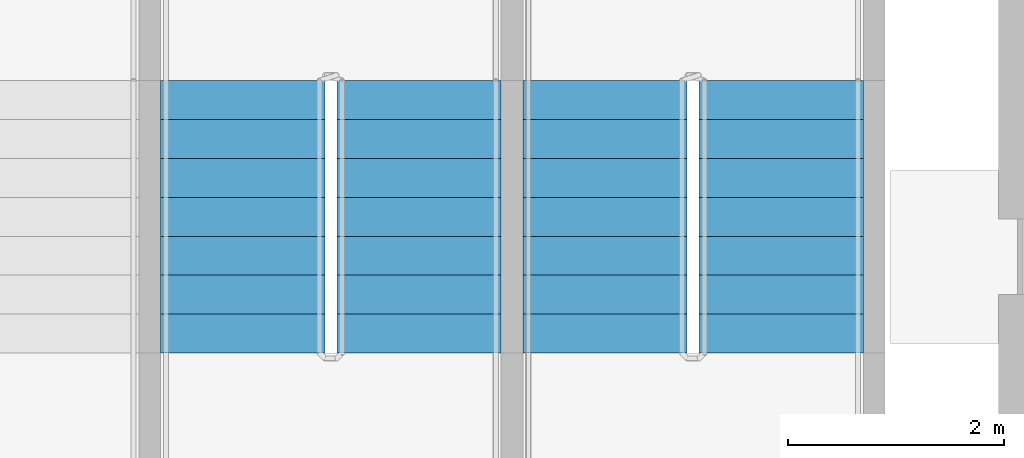
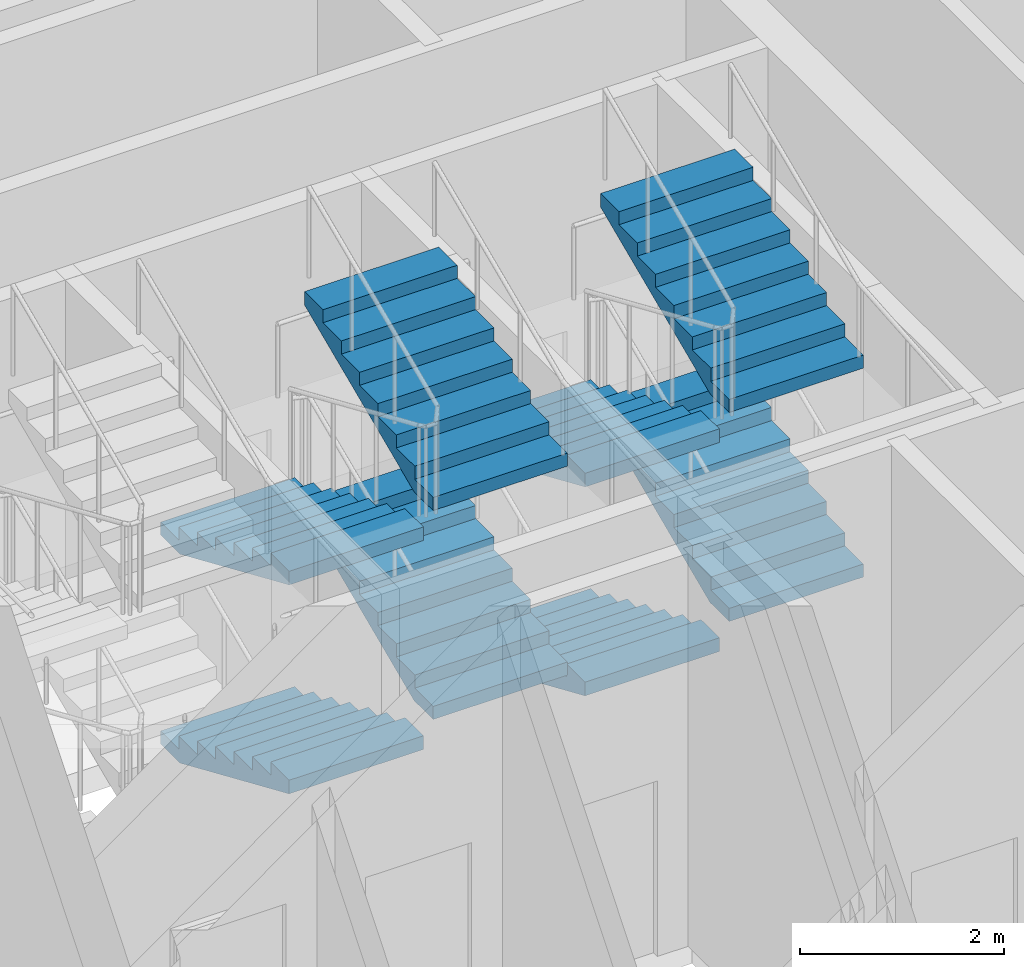
# One storey, part 10 of 15: 8 stair flights, 2 elements without a shape of their own.
"""IFC4 building model written with IfcOpenShell, lengths in metres."""

from ifc_helpers import new_model, si_unit, direction, frame, origin, place, context, subcontext, project, spatial, polyline, outline, extrude, material, type_object, element, aggregate, save


model = new_model("IFC4")

# Units and contexts
model_context = context("Model", 3, precision=1e-05, world=origin(), true_north=direction((0.0, 1.0)))
body_context = subcontext(model_context, "Body", "Model", "MODEL_VIEW")
ifc_project = project(units=[si_unit("LENGTHUNIT", "METRE"), si_unit("AREAUNIT", "SQUARE_METRE"), si_unit("VOLUMEUNIT", "CUBIC_METRE"), si_unit("PLANEANGLEUNIT", "RADIAN"), si_unit("MASSUNIT", "GRAM", prefix="KILO")], contexts=[model_context])

# Site, building, storey
site_placement = place(None, origin())
site = spatial("IfcSite", under=ifc_project, at=site_placement, CompositionType="ELEMENT")
building_placement = place(site_placement, origin())
building = spatial("IfcBuilding", under=site, at=building_placement, Name="Tessera Arch", CompositionType="ELEMENT")
storey_placement = place(building_placement, frame((0.0, 0.0, 285.199951171875)))
storey = spatial("IfcBuildingStorey", under=building, at=storey_placement, Name="L69", CompositionType="ELEMENT", Elevation=285.199951171875)

# Stair, stair flights
ifc_material_1 = material(Name="Concrete C40/50", Category="concrete")
stair_type = type_object("IfcStairType", Name="Dogleg stair 1520", PredefinedType="HALF_TURN_STAIR", material=ifc_material_1)
stair_1_placement = place(storey_placement, origin())
stair_1 = element("IfcStair", 1, at=stair_1_placement, inside=storey, type_object=stair_type, Name="L69 S1b", PredefinedType="HALF_TURN_STAIR")
ifc_material_2 = material(Name="Concrete C40/50", Category="concrete")
stair_flight_type = type_object("IfcStairFlightType", Name="Stair flight 1520", PredefinedType="STRAIGHT", material=ifc_material_2)
stair_flight_1_placement = place(storey_placement, frame((40.81005859375, 43.580078125, 0.0), z_axis=(0.0, 0.0, 1.0), x_axis=(0.0, -1.0, 0.0)))
stair_flight_1 = element("IfcStairFlight", 2, at=stair_flight_1_placement, type_object=stair_flight_type, Name="S1b flight 1", NumberOfRisers=8, NumberOfTreads=7, PredefinedType="STRAIGHT", RiserHeight=0.15625, TreadLength=0.36, context=body_context, shape_type="SweptSolid", body=[
    extrude(outline(polyline([(0.0, 0.0), (0.0, 0.15625), (0.360107421875, 0.15625), (0.360107421875, 0.3125), (0.719970703125, 0.3125), (0.719970703125, 0.46875), (1.080078125, 0.46875), (1.080078125, 0.625), (1.43994140625, 0.625), (1.43994140625, 0.78125), (1.800048828125, 0.78125), (1.800048828125, 0.9375), (2.159912109375, 0.9375), (2.159912109375, 1.09375), (2.52001953125, 1.09375), (2.52001953125, 1.25), (2.52001953125, 0.930419921875), (0.37646484375, 0.0), (0.0, 0.0)])), frame((0.0, 0.760009765625, 0.0), z_axis=(0.0, -1.0, 0.0), x_axis=(1.0, 0.0, 0.0)), (0.0, 0.0, 1.0), 1.52001953125),
])
stair_flight_2_placement = place(storey_placement, frame((42.43994140625, 41.06005859375, 1.25), z_axis=(0.0, 0.0, 1.0), x_axis=(0.0, 1.0, 0.0)))
stair_flight_2 = element("IfcStairFlight", 3, at=stair_flight_2_placement, type_object=stair_flight_type, Name="S1b flight 2", NumberOfRisers=8, NumberOfTreads=7, PredefinedType="STRAIGHT", RiserHeight=0.15625, TreadLength=0.36, context=body_context, shape_type="SweptSolid", body=[
    extrude(outline(polyline([(0.0, 0.0), (0.0, 0.15625), (0.360107421875, 0.15625), (0.360107421875, 0.3125), (0.719970703125, 0.3125), (0.719970703125, 0.46875), (1.080078125, 0.46875), (1.080078125, 0.625), (1.43994140625, 0.625), (1.43994140625, 0.78125), (1.800048828125, 0.78125), (1.800048828125, 0.9375), (2.159912109375, 0.9375), (2.159912109375, 1.09375), (2.52001953125, 1.09375), (2.52001953125, 1.25), (2.52001953125, 0.930419921875), (0.37646484375, 0.0), (0.0, 0.0)])), frame((0.0, 0.760009765625, 0.0), z_axis=(0.0, -1.0, 0.0), x_axis=(1.0, 0.0, 0.0)), (0.0, 0.0, 1.0), 1.52001953125),
])
stair_flight_3_placement = place(storey_placement, frame((40.81005859375, 43.580078125, 2.5), z_axis=(0.0, 0.0, 1.0), x_axis=(0.0, -1.0, 0.0)))
stair_flight_3 = element("IfcStairFlight", 4, at=stair_flight_3_placement, type_object=stair_flight_type, Name="S1b flight 3", NumberOfRisers=8, NumberOfTreads=7, PredefinedType="STRAIGHT", RiserHeight=0.15625, TreadLength=0.36, context=body_context, shape_type="SweptSolid", body=[
    extrude(outline(polyline([(0.0, 0.0), (0.0, 0.15625), (0.360107421875, 0.15625), (0.360107421875, 0.3125), (0.719970703125, 0.3125), (0.719970703125, 0.46875), (1.080078125, 0.46875), (1.080078125, 0.625), (1.43994140625, 0.625), (1.43994140625, 0.78125), (1.800048828125, 0.78125), (1.800048828125, 0.9375), (2.159912109375, 0.9375), (2.159912109375, 1.09375), (2.52001953125, 1.09375), (2.52001953125, 1.25), (2.52001953125, 0.930419921875), (0.37646484375, 0.0), (0.0, 0.0)])), frame((0.0, 0.760009765625, 0.0), z_axis=(0.0, -1.0, 0.0), x_axis=(1.0, 0.0, 0.0)), (0.0, 0.0, 1.0), 1.52001953125),
])
stair_flight_4_placement = place(storey_placement, frame((42.43994140625, 41.06005859375, 3.75), z_axis=(0.0, 0.0, 1.0), x_axis=(0.0, 1.0, 0.0)))
stair_flight_4 = element("IfcStairFlight", 5, at=stair_flight_4_placement, type_object=stair_flight_type, Name="S1b flight 4", NumberOfRisers=8, NumberOfTreads=7, PredefinedType="STRAIGHT", RiserHeight=0.15625, TreadLength=0.36, context=body_context, shape_type="SweptSolid", body=[
    extrude(outline(polyline([(0.0, 0.0), (0.0, 0.15625), (0.360107421875, 0.15625), (0.360107421875, 0.3125), (0.719970703125, 0.3125), (0.719970703125, 0.46875), (1.080078125, 0.46875), (1.080078125, 0.625), (1.43994140625, 0.625), (1.43994140625, 0.78125), (1.800048828125, 0.78125), (1.800048828125, 0.9375), (2.159912109375, 0.9375), (2.159912109375, 1.09375), (2.52001953125, 1.09375), (2.52001953125, 1.25), (2.52001953125, 0.930419921875), (0.37646484375, 0.0), (0.0, 0.0)])), frame((0.0, 0.760009765625, 0.0), z_axis=(0.0, -1.0, 0.0), x_axis=(1.0, 0.0, 0.0)), (0.0, 0.0, 1.0), 1.52001953125),
])
aggregate(stair_1, [stair_flight_1, stair_flight_2, stair_flight_3, stair_flight_4])

stair_2_placement = place(storey_placement, origin())
stair_2 = element("IfcStair", 6, at=stair_2_placement, inside=storey, type_object=stair_type, Name="L69 S1c", PredefinedType="HALF_TURN_STAIR")
stair_flight_5_placement = place(storey_placement, frame((44.159912109375, 43.580078125, 0.0), z_axis=(0.0, 0.0, 1.0), x_axis=(0.0, -1.0, 0.0)))
stair_flight_5 = element("IfcStairFlight", 7, at=stair_flight_5_placement, type_object=stair_flight_type, Name="S1c flight 1", NumberOfRisers=8, NumberOfTreads=7, PredefinedType="STRAIGHT", RiserHeight=0.15625, TreadLength=0.36, context=body_context, shape_type="SweptSolid", body=[
    extrude(outline(polyline([(0.0, 0.0), (0.0, 0.15625), (0.360107421875, 0.15625), (0.360107421875, 0.3125), (0.719970703125, 0.3125), (0.719970703125, 0.46875), (1.080078125, 0.46875), (1.080078125, 0.625), (1.43994140625, 0.625), (1.43994140625, 0.78125), (1.800048828125, 0.78125), (1.800048828125, 0.9375), (2.159912109375, 0.9375), (2.159912109375, 1.09375), (2.52001953125, 1.09375), (2.52001953125, 1.25), (2.52001953125, 0.930419921875), (0.37646484375, 0.0), (0.0, 0.0)])), frame((0.0, 0.760009765625, 0.0), z_axis=(0.0, -1.0, 0.0), x_axis=(1.0, 0.0, 0.0)), (0.0, 0.0, 1.0), 1.52001953125),
])
stair_flight_6_placement = place(storey_placement, frame((45.7900390625, 41.06005859375, 1.25), z_axis=(0.0, 0.0, 1.0), x_axis=(0.0, 1.0, 0.0)))
stair_flight_6 = element("IfcStairFlight", 8, at=stair_flight_6_placement, type_object=stair_flight_type, Name="S1c flight 2", NumberOfRisers=8, NumberOfTreads=7, PredefinedType="STRAIGHT", RiserHeight=0.15625, TreadLength=0.36, context=body_context, shape_type="SweptSolid", body=[
    extrude(outline(polyline([(0.0, 0.0), (0.0, 0.15625), (0.360107421875, 0.15625), (0.360107421875, 0.3125), (0.719970703125, 0.3125), (0.719970703125, 0.46875), (1.080078125, 0.46875), (1.080078125, 0.625), (1.43994140625, 0.625), (1.43994140625, 0.78125), (1.800048828125, 0.78125), (1.800048828125, 0.9375), (2.159912109375, 0.9375), (2.159912109375, 1.09375), (2.52001953125, 1.09375), (2.52001953125, 1.25), (2.52001953125, 0.930419921875), (0.37646484375, 0.0), (0.0, 0.0)])), frame((0.0, 0.760009765625, 0.0), z_axis=(0.0, -1.0, 0.0), x_axis=(1.0, 0.0, 0.0)), (0.0, 0.0, 1.0), 1.52001953125),
])
stair_flight_7_placement = place(storey_placement, frame((44.159912109375, 43.580078125, 2.5), z_axis=(0.0, 0.0, 1.0), x_axis=(0.0, -1.0, 0.0)))
stair_flight_7 = element("IfcStairFlight", 9, at=stair_flight_7_placement, type_object=stair_flight_type, Name="S1c flight 3", NumberOfRisers=8, NumberOfTreads=7, PredefinedType="STRAIGHT", RiserHeight=0.15625, TreadLength=0.36, context=body_context, shape_type="SweptSolid", body=[
    extrude(outline(polyline([(0.0, 0.0), (0.0, 0.15625), (0.360107421875, 0.15625), (0.360107421875, 0.3125), (0.719970703125, 0.3125), (0.719970703125, 0.46875), (1.080078125, 0.46875), (1.080078125, 0.625), (1.43994140625, 0.625), (1.43994140625, 0.78125), (1.800048828125, 0.78125), (1.800048828125, 0.9375), (2.159912109375, 0.9375), (2.159912109375, 1.09375), (2.52001953125, 1.09375), (2.52001953125, 1.25), (2.52001953125, 0.930419921875), (0.37646484375, 0.0), (0.0, 0.0)])), frame((0.0, 0.760009765625, 0.0), z_axis=(0.0, -1.0, 0.0), x_axis=(1.0, 0.0, 0.0)), (0.0, 0.0, 1.0), 1.52001953125),
])
stair_flight_8_placement = place(storey_placement, frame((45.7900390625, 41.06005859375, 3.75), z_axis=(0.0, 0.0, 1.0), x_axis=(0.0, 1.0, 0.0)))
stair_flight_8 = element("IfcStairFlight", 10, at=stair_flight_8_placement, type_object=stair_flight_type, Name="S1c flight 4", NumberOfRisers=8, NumberOfTreads=7, PredefinedType="STRAIGHT", RiserHeight=0.15625, TreadLength=0.36, context=body_context, shape_type="SweptSolid", body=[
    extrude(outline(polyline([(0.0, 0.0), (0.0, 0.15625), (0.360107421875, 0.15625), (0.360107421875, 0.3125), (0.719970703125, 0.3125), (0.719970703125, 0.46875), (1.080078125, 0.46875), (1.080078125, 0.625), (1.43994140625, 0.625), (1.43994140625, 0.78125), (1.800048828125, 0.78125), (1.800048828125, 0.9375), (2.159912109375, 0.9375), (2.159912109375, 1.09375), (2.52001953125, 1.09375), (2.52001953125, 1.25), (2.52001953125, 0.930419921875), (0.37646484375, 0.0), (0.0, 0.0)])), frame((0.0, 0.760009765625, 0.0), z_axis=(0.0, -1.0, 0.0), x_axis=(1.0, 0.0, 0.0)), (0.0, 0.0, 1.0), 1.52001953125),
])
aggregate(stair_2, [stair_flight_5, stair_flight_6, stair_flight_7, stair_flight_8])

save(model, "model.ifc")
